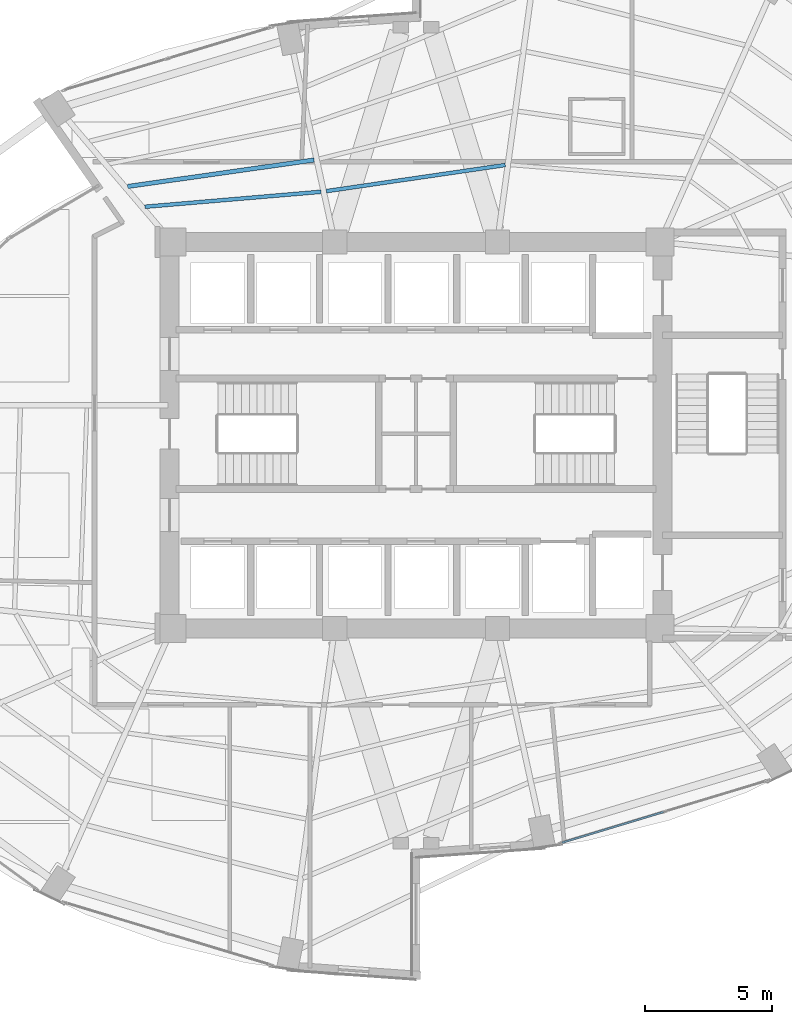
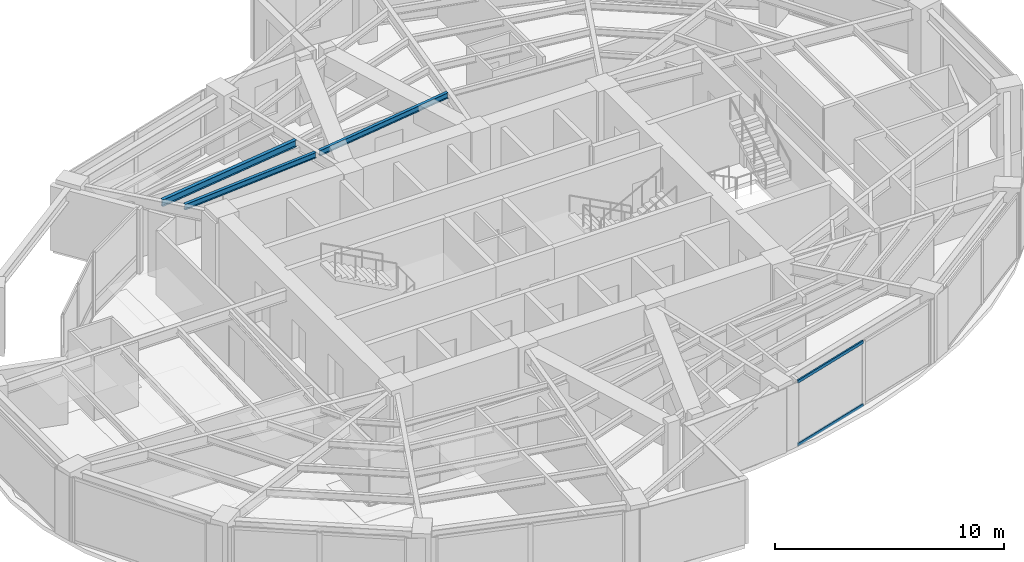
# One storey, part 10 of 24: 3 beams, 2 members, 1 element without a shape of its own.
"""IFC4 building model written with IfcOpenShell, lengths in metres."""

from ifc_helpers import new_model, si_unit, direction, frame, origin, origin_2d, place, context, subcontext, project, spatial, hollow_rectangle, i_section, extrude, material, layer, layer_set, material_profile, profile_set, type_object, element, aggregate, save


model = new_model("IFC4")

# Units and contexts
model_context = context("Model", 3, precision=1e-05, world=origin(), true_north=direction((0.0, 1.0)))
body_context = subcontext(model_context, "Body", "Model", "MODEL_VIEW")
ifc_project = project(units=[si_unit("LENGTHUNIT", "METRE"), si_unit("AREAUNIT", "SQUARE_METRE"), si_unit("VOLUMEUNIT", "CUBIC_METRE"), si_unit("PLANEANGLEUNIT", "RADIAN"), si_unit("MASSUNIT", "GRAM", prefix="KILO")], contexts=[model_context])

# Site, building, storey
site_placement = place(None, origin())
site = spatial("IfcSite", under=ifc_project, at=site_placement, CompositionType="ELEMENT")
building_placement = place(site_placement, origin())
building = spatial("IfcBuilding", under=site, at=building_placement, Name="Lazwardi Medical Tower", CompositionType="ELEMENT")
storey_placement = place(building_placement, frame((0.0, 0.0, 114.575927734375)))
storey = spatial("IfcBuildingStorey", under=building, at=storey_placement, Name="L29", CompositionType="ELEMENT", Elevation=114.575927734375)

# Beams
ifc_material_1 = material(Name="Steel S355", Category="steel")
ifc_material_profile_1 = material_profile(ifc_material_1, i_section(OverallWidth=0.169921875, OverallDepth=0.360107421875, WebThickness=0.008056640625, FlangeThickness=0.0126953125, at=origin_2d()), Name="IPE 360")
ifc_profile_set_1 = profile_set([ifc_material_profile_1], Name="Steel S355")
beam_type_1 = type_object("IfcBeamType", Name="BM-SJ-02", PredefinedType="JOIST", material=ifc_profile_set_1)
beam_1_placement = place(storey_placement, frame((31.988525390625, 38.8271484375, 3.248046875), z_axis=(-0.990067108571, -0.140595592128, 0.0), x_axis=(0.140595592128, -0.990067108571, 0.0)))
element("IfcBeam", 1, at=beam_1_placement, inside=storey, type_object=beam_type_1, Name="Secondary joist SJ-02 R3 B09 L29", PredefinedType="JOIST", context=body_context, shape_type="SweptSolid", body=[
    extrude(i_section(OverallWidth=0.169921875, OverallDepth=0.360107421875, WebThickness=0.008056640625, FlangeThickness=0.0126953125, at=origin_2d()), origin(), (0.0, 0.0, 1.0), 7.409423828125),
])
ifc_material_profile_2 = material_profile(ifc_material_1, i_section(OverallWidth=0.14990234375, OverallDepth=0.300048828125, WebThickness=0.007080078125, FlangeThickness=0.0107421875, at=origin_2d()), Name="IPE 300")
ifc_profile_set_2 = profile_set([ifc_material_profile_2], Name="Steel S355")
beam_type_2 = type_object("IfcBeamType", Name="BM-SJ-03", PredefinedType="JOIST", material=ifc_profile_set_2)
beam_2_placement = place(storey_placement, frame((39.511474609375, 38.62939453125, 3.278076171875), z_axis=(-0.98949221477, -0.144586157392, 0.0), x_axis=(0.144586157392, -0.98949221477, 0.0)))
element("IfcBeam", 2, at=beam_2_placement, inside=storey, type_object=beam_type_2, Name="Secondary joist SJ-03 R4 B08 L29", PredefinedType="JOIST", context=body_context, shape_type="SweptSolid", body=[
    extrude(i_section(OverallWidth=0.14990234375, OverallDepth=0.300048828125, WebThickness=0.007080078125, FlangeThickness=0.0107421875, at=origin_2d()), origin(), (0.0, 0.0, 1.0), 7.115478515625),
])
beam_3_placement = place(storey_placement, frame((32.26220703125, 37.576416015625, 3.278076171875), z_axis=(-0.996393589821, -0.08485171868, 0.0), x_axis=(0.08485171868, -0.996393589821, 0.0)))
element("IfcBeam", 3, at=beam_3_placement, inside=storey, type_object=beam_type_2, Name="Secondary joist SJ-03 R4 B09 L29", PredefinedType="JOIST", context=body_context, shape_type="SweptSolid", body=[
    extrude(i_section(OverallWidth=0.14990234375, OverallDepth=0.300048828125, WebThickness=0.007080078125, FlangeThickness=0.0107421875, at=origin_2d()), origin(), (0.0, 0.0, 1.0), 6.957275390625),
])

# Curtain wall, members
ifc_material_2 = material(Name="Anodised bronze aluminium and solar control glazing", Category="aluminium")
ifc_layer = layer(ifc_material_2, 0.195068359375)
ifc_layer_set = layer_set([ifc_layer], Name="Anodised bronze aluminium and solar control glazing")
curtain_wall_type = type_object("IfcCurtainWallType", Name="CW-SYS-03", PredefinedType="NOTDEFINED", material=ifc_layer_set)
curtain_wall_placement = place(storey_placement, origin())
curtain_wall = element("IfcCurtainWall", 4, at=curtain_wall_placement, inside=storey, type_object=curtain_wall_type, Name="L29 Unitised bronze curtain wall CW-03", PredefinedType="NOTDEFINED")
ifc_material_3 = material(Name="Anodised bronze aluminium", Category="aluminium")
ifc_material_profile_3 = material_profile(ifc_material_3, hollow_rectangle(XDim=0.074951171875, YDim=0.159912109375, WallThickness=0.00390625, at=origin_2d()), Name="ALU-TRANSOM 160x75x4")
ifc_profile_set_3 = profile_set([ifc_material_profile_3], Name="Anodised bronze aluminium")
member_type = type_object("IfcMemberType", Name="CW-TRN-01", PredefinedType="USERDEFINED", material=ifc_profile_set_3)
member_1_placement = place(storey_placement, frame((41.74609375, 11.970703125, 0.03759765625), z_axis=(0.957220865985, 0.289358279168, 0.0), x_axis=(-0.289358279168, 0.957220865985, 0.0)))
member_1 = element("IfcMember", 5, at=member_1_placement, type_object=member_type, Name="CW-03 transom 1.1", ObjectType="TRANSOM", PredefinedType="USERDEFINED", context=body_context, shape_type="SweptSolid", body=[
    extrude(hollow_rectangle(XDim=0.074951171875, YDim=0.159912109375, WallThickness=0.00390625, at=origin_2d()), origin(), (0.0, 0.0, 1.0), 4.16552734375),
])
member_2_placement = place(storey_placement, frame((41.74609375, 11.970703125, 3.390625), z_axis=(0.957220865985, 0.289358279168, 0.0), x_axis=(-0.289358279168, 0.957220865985, 0.0)))
member_2 = element("IfcMember", 6, at=member_2_placement, type_object=member_type, Name="CW-03 transom 1.2", ObjectType="TRANSOM", PredefinedType="USERDEFINED", context=body_context, shape_type="SweptSolid", body=[
    extrude(hollow_rectangle(XDim=0.074951171875, YDim=0.159912109375, WallThickness=0.00390625, at=origin_2d()), origin(), (0.0, 0.0, 1.0), 4.16552734375),
])
aggregate(curtain_wall, [member_1, member_2])

save(model, "model.ifc")
